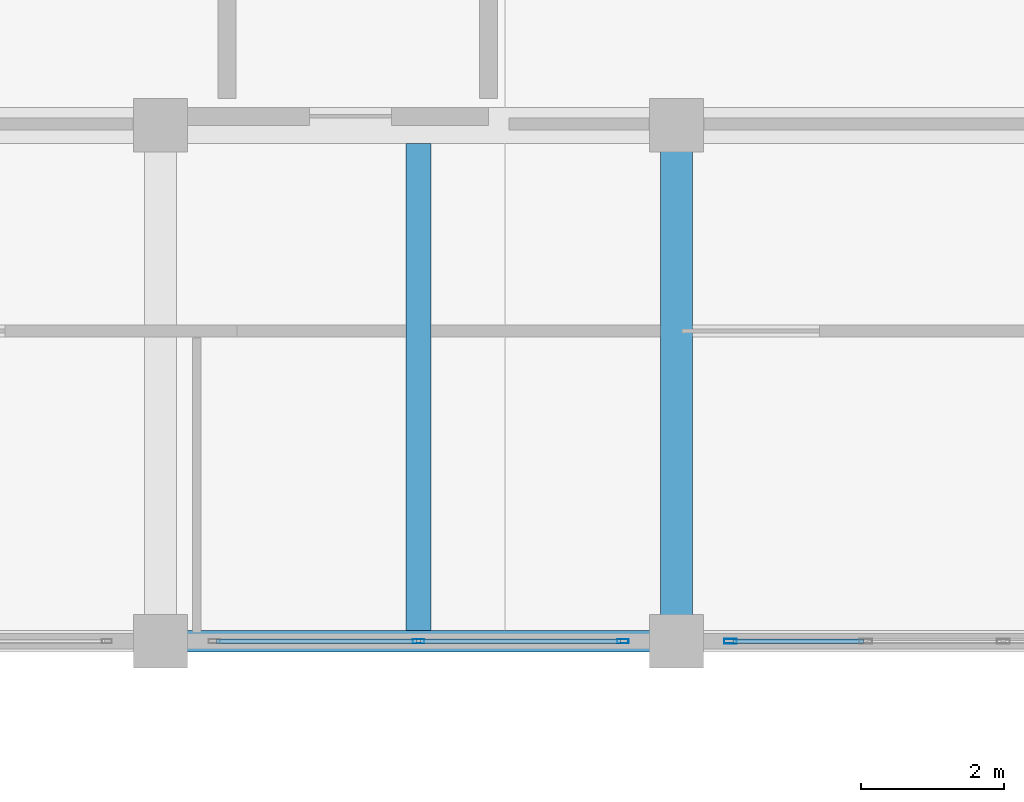
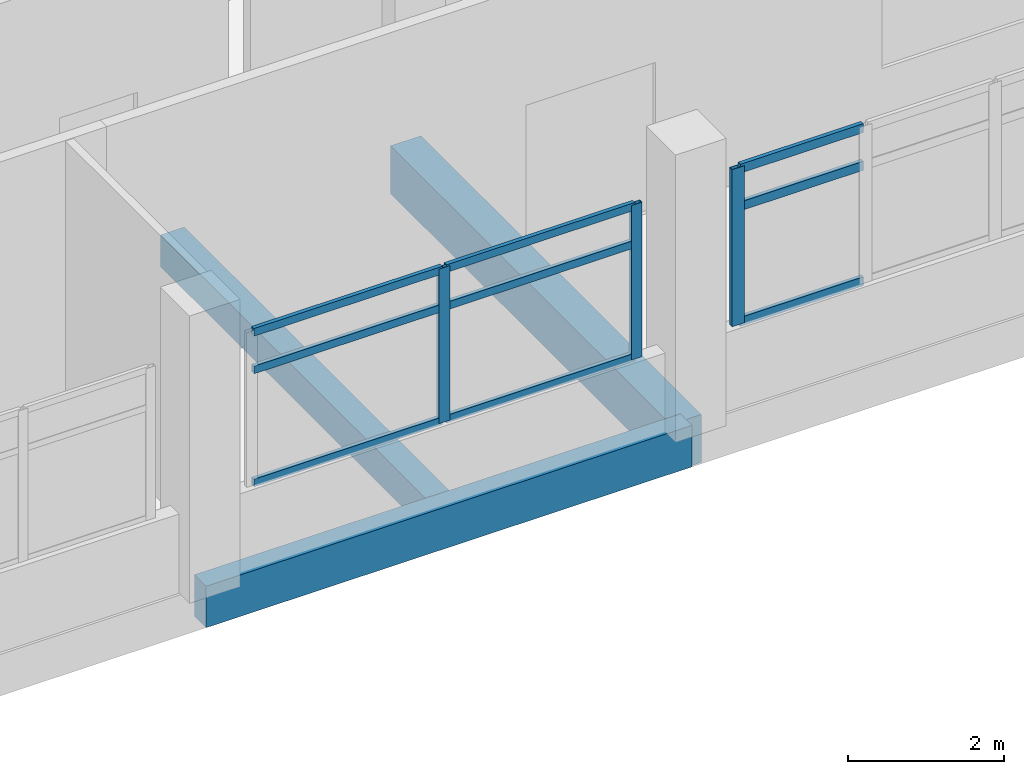
# One storey, part 29 of 141: 12 members, 3 beams, 2 elements without a shape of their own.
"""IFC4 building model written with IfcOpenShell, lengths in metres."""

from ifc_helpers import new_model, si_unit, direction, frame, origin, origin_2d, place, context, subcontext, project, spatial, rectangle, hollow_rectangle, extrude, material, layer, layer_set, material_profile, profile_set, type_object, element, aggregate, save


model = new_model("IFC4")

# Units and contexts
model_context = context("Model", 3, precision=1e-05, world=origin(), true_north=direction((0.0, 1.0)))
body_context = subcontext(model_context, "Body", "Model", "MODEL_VIEW")
ifc_project = project(units=[si_unit("LENGTHUNIT", "METRE"), si_unit("AREAUNIT", "SQUARE_METRE"), si_unit("VOLUMEUNIT", "CUBIC_METRE"), si_unit("PLANEANGLEUNIT", "RADIAN"), si_unit("MASSUNIT", "GRAM", prefix="KILO")], contexts=[model_context])

# Site, building, storey
site_placement = place(None, origin())
site = spatial("IfcSite", under=ifc_project, at=site_placement, CompositionType="ELEMENT")
building_placement = place(site_placement, origin())
building = spatial("IfcBuilding", under=site, at=building_placement, Name="Seraya Terrace Polytechnic", CompositionType="ELEMENT")
storey_placement = place(building_placement, frame((0.0, 0.0, 14.39990234375)))
storey = spatial("IfcBuildingStorey", under=building, at=storey_placement, Name="L03", CompositionType="ELEMENT", Elevation=14.39990234375)

# Beam
ifc_material_1 = material(Name="Concrete C40/50", Category="concrete")
ifc_material_profile_1 = material_profile(ifc_material_1, rectangle(XDim=0.449951171875, YDim=0.75, at=origin_2d()), Name="RC 450x750")
ifc_profile_set_1 = profile_set([ifc_material_profile_1], Name="Concrete C40/50")
beam_type_1 = type_object("IfcBeamType", Name="BM-08", PredefinedType="BEAM", material=ifc_profile_set_1)
beam_1_placement = place(storey_placement, frame((93.60009765625, 0.0, -0.375), z_axis=(0.0, 1.0, 0.0), x_axis=(-1.0, 0.0, 0.0)))
element("IfcBeam", 1, at=beam_1_placement, inside=storey, type_object=beam_type_1, Name="Beam BM-08 L03 Y (93.6, 0.0..7.2)", PredefinedType="BEAM", context=body_context, shape_type="SweptSolid", body=[
    extrude(rectangle(XDim=0.449951171875, YDim=0.75, at=origin_2d()), origin(), (0.0, 0.0, 1.0), 7.199951171875),
])

# Curtain wall, member
ifc_material_2 = material(Name="Anodised aluminium EN AW-6063 T6", Category="aluminium")
ifc_layer_1 = layer(ifc_material_2, 0.179931640625, Name="CW-28")
ifc_layer_set_1 = layer_set([ifc_layer_1], Name="Anodised aluminium EN AW-6063 T6")
curtain_wall_type_1 = type_object("IfcCurtainWallType", Name="CW-28", PredefinedType="NOTDEFINED", material=ifc_layer_set_1)
curtain_wall_1_placement = place(storey_placement, origin())
curtain_wall_1 = element("IfcCurtainWall", 2, at=curtain_wall_1_placement, inside=storey, type_object=curtain_wall_type_1, Name="Unitised curtain wall CW-28 (CW-L03-100)", PredefinedType="NOTDEFINED")
ifc_material_profile_2 = material_profile(ifc_material_2, hollow_rectangle(XDim=0.06494140625, YDim=0.179931640625, WallThickness=0.00390625, at=origin_2d()), Name="RHS 180x65x4.0")
ifc_profile_set_2 = profile_set([ifc_material_profile_2], Name="Anodised aluminium EN AW-6063 T6")
member_type_1 = type_object("IfcMemberType", Name="CWM-01", PredefinedType="MULLION", material=ifc_profile_set_2)
member_1_placement = place(storey_placement, frame((94.3525390625, 0.0, 1.239990234375), z_axis=(0.0, 0.0, 1.0), x_axis=(0.0, -1.0, 0.0)))
member_1 = element("IfcMember", 3, at=member_1_placement, type_object=member_type_1, Name="CW-28 mullion 4", PredefinedType="MULLION", context=body_context, shape_type="SweptSolid", body=[
    extrude(hollow_rectangle(XDim=0.06494140625, YDim=0.179931640625, WallThickness=0.00390625, at=origin_2d()), origin(), (0.0, 0.0, 1.0), 2.460205078125),
])

# Curtain wall, members
ifc_layer_2 = layer(ifc_material_2, 0.179931640625, Name="CW-29")
ifc_layer_set_2 = layer_set([ifc_layer_2], Name="Anodised aluminium EN AW-6063 T6")
curtain_wall_type_2 = type_object("IfcCurtainWallType", Name="CW-29", PredefinedType="NOTDEFINED", material=ifc_layer_set_2)
curtain_wall_2_placement = place(storey_placement, origin())
curtain_wall_2 = element("IfcCurtainWall", 4, at=curtain_wall_2_placement, inside=storey, type_object=curtain_wall_type_2, Name="Unitised curtain wall CW-29 (CW-L03-101)", PredefinedType="NOTDEFINED")
ifc_material_profile_3 = material_profile(ifc_material_2, hollow_rectangle(XDim=0.06005859375, YDim=0.159912109375, WallThickness=0.00341796875, at=origin_2d()), Name="RHS 160x60x3.5")
ifc_profile_set_3 = profile_set([ifc_material_profile_3], Name="Anodised aluminium EN AW-6063 T6")
member_type_2 = type_object("IfcMemberType", Name="CWM-02", PredefinedType="MULLION", material=ifc_profile_set_3)
member_2_placement = place(storey_placement, frame((92.85009765625, 0.0, 1.239990234375), z_axis=(0.0, 0.0, 1.0), x_axis=(0.0, -1.0, 0.0)))
member_2 = element("IfcMember", 5, at=member_2_placement, type_object=member_type_2, Name="CW-29 mullion 1", PredefinedType="MULLION", context=body_context, shape_type="SweptSolid", body=[
    extrude(hollow_rectangle(XDim=0.06005859375, YDim=0.159912109375, WallThickness=0.00341796875, at=origin_2d()), origin(), (0.0, 0.0, 1.0), 2.420166015625),
])
member_3_placement = place(storey_placement, frame((90.0, 0.0, 1.239990234375), z_axis=(0.0, 0.0, 1.0), x_axis=(0.0, -1.0, 0.0)))
member_3 = element("IfcMember", 6, at=member_3_placement, type_object=member_type_2, Name="CW-29 mullion 2", PredefinedType="MULLION", context=body_context, shape_type="SweptSolid", body=[
    extrude(hollow_rectangle(XDim=0.06005859375, YDim=0.159912109375, WallThickness=0.00341796875, at=origin_2d()), origin(), (0.0, 0.0, 1.0), 2.420166015625),
])

# Member
ifc_material_profile_4 = material_profile(ifc_material_2, hollow_rectangle(XDim=0.06005859375, YDim=0.139892578125, WallThickness=0.00341796875, at=origin_2d()), Name="RHS 140x60x3.5")
ifc_profile_set_4 = profile_set([ifc_material_profile_4], Name="Anodised aluminium EN AW-6063 T6")
member_type_3 = type_object("IfcMemberType", Name="CWT-01", PredefinedType="USERDEFINED", material=ifc_profile_set_4)
member_4_placement = place(storey_placement, frame((96.20751953125, 0.0, 1.27001953125), z_axis=(-1.0, 0.0, 0.0), x_axis=(0.0, -1.0, 0.0)))
member_4 = element("IfcMember", 7, at=member_4_placement, type_object=member_type_3, Name="CW-28 transom 3.1", ObjectType="TRANSOM", PredefinedType="USERDEFINED", context=body_context, shape_type="SweptSolid", body=[
    extrude(hollow_rectangle(XDim=0.06005859375, YDim=0.139892578125, WallThickness=0.00341796875, at=origin_2d()), origin(), (0.0, 0.0, 1.0), 1.822509765625),
])

member_5_placement = place(storey_placement, frame((96.20751953125, 0.0, 3.080078125), z_axis=(-1.0, 0.0, 0.0), x_axis=(0.0, -1.0, 0.0)))
member_5 = element("IfcMember", 8, at=member_5_placement, type_object=member_type_3, Name="CW-28 transom 3.2", ObjectType="TRANSOM", PredefinedType="USERDEFINED", context=body_context, shape_type="SweptSolid", body=[
    extrude(hollow_rectangle(XDim=0.06005859375, YDim=0.139892578125, WallThickness=0.00341796875, at=origin_2d()), origin(), (0.0, 0.0, 1.0), 1.822509765625),
])

member_6_placement = place(storey_placement, frame((96.20751953125, 0.0, 3.670166015625), z_axis=(-1.0, 0.0, 0.0), x_axis=(0.0, -1.0, 0.0)))
member_6 = element("IfcMember", 9, at=member_6_placement, type_object=member_type_3, Name="CW-28 transom 3.3", ObjectType="TRANSOM", PredefinedType="USERDEFINED", context=body_context, shape_type="SweptSolid", body=[
    extrude(hollow_rectangle(XDim=0.06005859375, YDim=0.139892578125, WallThickness=0.00341796875, at=origin_2d()), origin(), (0.0, 0.0, 1.0), 1.822509765625),
])

aggregate(curtain_wall_1, [member_1, member_4, member_5, member_6])

ifc_material_profile_5 = material_profile(ifc_material_2, hollow_rectangle(XDim=0.06005859375, YDim=0.1201171875, WallThickness=0.003173828125, at=origin_2d()), Name="RHS 120x60x3.2")
ifc_profile_set_5 = profile_set([ifc_material_profile_5], Name="Anodised aluminium EN AW-6063 T6")
member_type_4 = type_object("IfcMemberType", Name="CWT-02", PredefinedType="USERDEFINED", material=ifc_profile_set_5)
member_7_placement = place(storey_placement, frame((92.820068359375, 0.0, 1.27001953125), z_axis=(-1.0, 0.0, 0.0), x_axis=(0.0, -1.0, 0.0)))
member_7 = element("IfcMember", 10, at=member_7_placement, type_object=member_type_4, Name="CW-29 transom 1.1", ObjectType="TRANSOM", PredefinedType="USERDEFINED", context=body_context, shape_type="SweptSolid", body=[
    extrude(hollow_rectangle(XDim=0.06005859375, YDim=0.1201171875, WallThickness=0.003173828125, at=origin_2d()), origin(), (0.0, 0.0, 1.0), 2.7900390625),
])

member_8_placement = place(storey_placement, frame((92.820068359375, 0.0, 3.0400390625), z_axis=(-1.0, 0.0, 0.0), x_axis=(0.0, -1.0, 0.0)))
member_8 = element("IfcMember", 11, at=member_8_placement, type_object=member_type_4, Name="CW-29 transom 1.2", ObjectType="TRANSOM", PredefinedType="USERDEFINED", context=body_context, shape_type="SweptSolid", body=[
    extrude(hollow_rectangle(XDim=0.06005859375, YDim=0.1201171875, WallThickness=0.003173828125, at=origin_2d()), origin(), (0.0, 0.0, 1.0), 2.7900390625),
])

member_9_placement = place(storey_placement, frame((92.820068359375, 0.0, 3.630126953125), z_axis=(-1.0, 0.0, 0.0), x_axis=(0.0, -1.0, 0.0)))
member_9 = element("IfcMember", 12, at=member_9_placement, type_object=member_type_4, Name="CW-29 transom 1.3", ObjectType="TRANSOM", PredefinedType="USERDEFINED", context=body_context, shape_type="SweptSolid", body=[
    extrude(hollow_rectangle(XDim=0.06005859375, YDim=0.1201171875, WallThickness=0.003173828125, at=origin_2d()), origin(), (0.0, 0.0, 1.0), 2.7900390625),
])

member_10_placement = place(storey_placement, frame((89.969970703125, 0.0, 1.27001953125), z_axis=(-1.0, 0.0, 0.0), x_axis=(0.0, -1.0, 0.0)))
member_10 = element("IfcMember", 13, at=member_10_placement, type_object=member_type_4, Name="CW-29 transom 2.1", ObjectType="TRANSOM", PredefinedType="USERDEFINED", context=body_context, shape_type="SweptSolid", body=[
    extrude(hollow_rectangle(XDim=0.06005859375, YDim=0.1201171875, WallThickness=0.003173828125, at=origin_2d()), origin(), (0.0, 0.0, 1.0), 2.7900390625),
])

member_11_placement = place(storey_placement, frame((89.969970703125, 0.0, 3.0400390625), z_axis=(-1.0, 0.0, 0.0), x_axis=(0.0, -1.0, 0.0)))
member_11 = element("IfcMember", 14, at=member_11_placement, type_object=member_type_4, Name="CW-29 transom 2.2", ObjectType="TRANSOM", PredefinedType="USERDEFINED", context=body_context, shape_type="SweptSolid", body=[
    extrude(hollow_rectangle(XDim=0.06005859375, YDim=0.1201171875, WallThickness=0.003173828125, at=origin_2d()), origin(), (0.0, 0.0, 1.0), 2.7900390625),
])

member_12_placement = place(storey_placement, frame((89.969970703125, 0.0, 3.630126953125), z_axis=(-1.0, 0.0, 0.0), x_axis=(0.0, -1.0, 0.0)))
member_12 = element("IfcMember", 15, at=member_12_placement, type_object=member_type_4, Name="CW-29 transom 2.3", ObjectType="TRANSOM", PredefinedType="USERDEFINED", context=body_context, shape_type="SweptSolid", body=[
    extrude(hollow_rectangle(XDim=0.06005859375, YDim=0.1201171875, WallThickness=0.003173828125, at=origin_2d()), origin(), (0.0, 0.0, 1.0), 2.7900390625),
])

aggregate(curtain_wall_2, [member_2, member_3, member_7, member_8, member_9, member_10, member_11, member_12])

# Beams
ifc_material_profile_6 = material_profile(ifc_material_1, rectangle(XDim=0.35009765625, YDim=0.5, at=origin_2d()), Name="RC 350x500")
ifc_profile_set_6 = profile_set([ifc_material_profile_6], Name="Concrete C40/50")
beam_type_2 = type_object("IfcBeamType", Name="JS-03", PredefinedType="JOIST", material=ifc_profile_set_6)
beam_2_placement = place(storey_placement, frame((90.0, 0.14990234375, -0.25), z_axis=(0.0, 1.0, 0.0), x_axis=(-1.0, 0.0, 0.0)))
element("IfcBeam", 16, at=beam_2_placement, inside=storey, type_object=beam_type_2, Name="Secondary joist JS-03 L03", PredefinedType="JOIST", context=body_context, shape_type="SweptSolid", body=[
    extrude(rectangle(XDim=0.35009765625, YDim=0.5, at=origin_2d()), origin(), (0.0, 0.0, 1.0), 6.800048828125),
])
ifc_material_profile_7 = material_profile(ifc_material_1, rectangle(XDim=0.300048828125, YDim=0.64990234375, at=origin_2d()), Name="RC 300x650")
ifc_profile_set_7 = profile_set([ifc_material_profile_7], Name="Concrete C40/50")
beam_type_3 = type_object("IfcBeamType", Name="SP-01", PredefinedType="SPANDREL", material=ifc_profile_set_7)
beam_3_placement = place(storey_placement, frame((86.39990234375, 0.0, -0.324951171875), z_axis=(1.0, 0.0, 0.0), x_axis=(0.0, 1.0, 0.0)))
element("IfcBeam", 17, at=beam_3_placement, inside=storey, type_object=beam_type_3, Name="Beam SP-01 L03 X (86.4..93.6, 0.0)", PredefinedType="SPANDREL", context=body_context, shape_type="SweptSolid", body=[
    extrude(rectangle(XDim=0.300048828125, YDim=0.64990234375, at=origin_2d()), origin(), (0.0, 0.0, 1.0), 7.2001953125),
])

save(model, "model.ifc")
